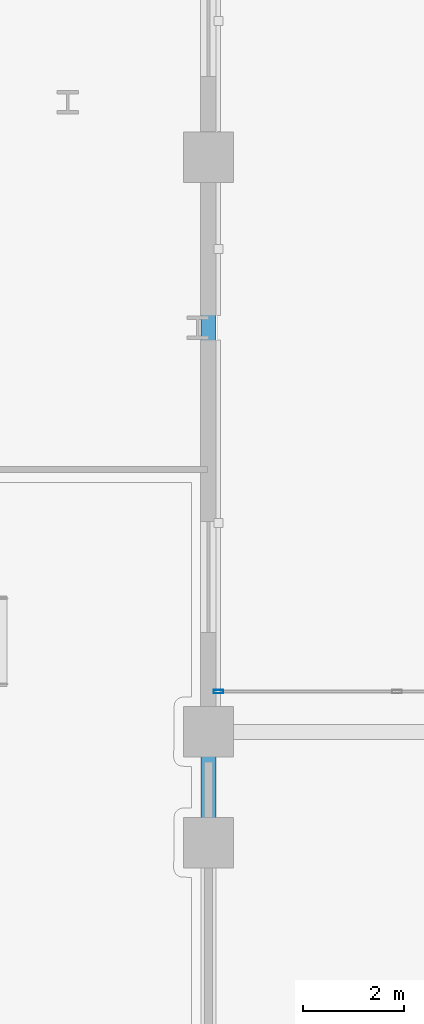
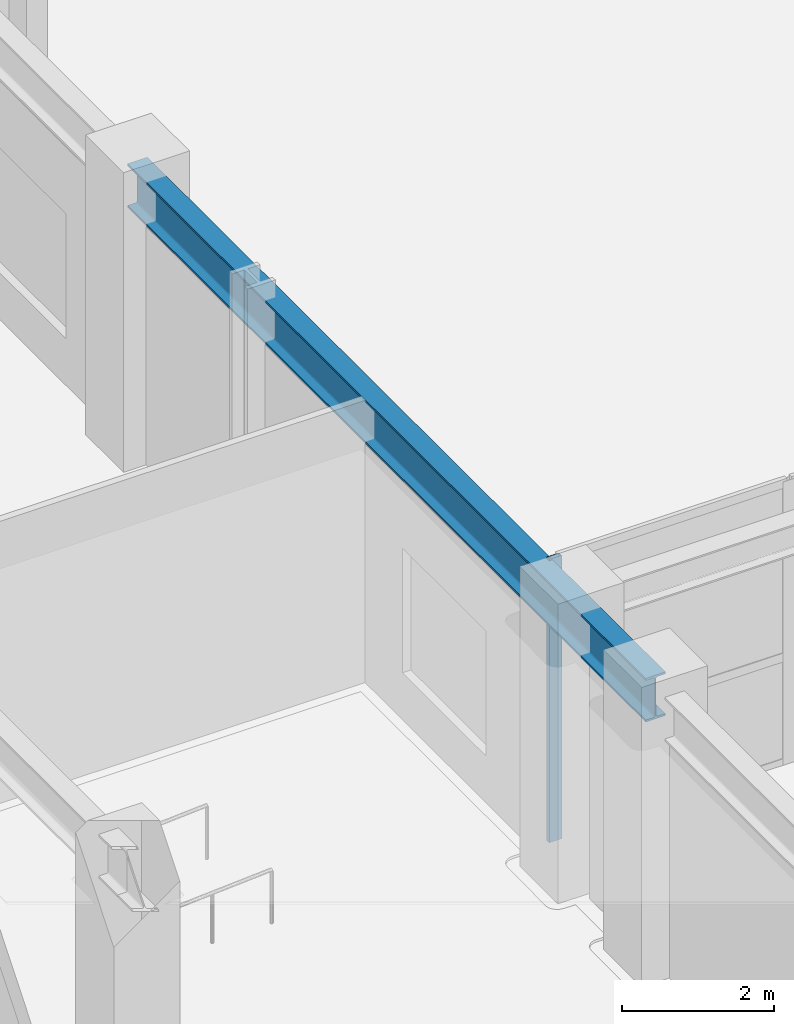
# One storey, part 9 of 40: 1 beam, 1 member, 1 element without a shape of its own.
"""IFC4 building model written with IfcOpenShell, lengths in metres."""

from ifc_helpers import new_model, si_unit, derived_unit, direction, frame, origin, origin_2d, place, context, subcontext, project, spatial, hollow_rectangle, i_section, extrude, source, transform, mapped, material, layer, layer_set, material_profile, profile_set, type_object, element, aggregate, save


model = new_model("IFC4")

# Units and contexts
model_context = context("Model", 3, precision=1e-05, world=origin(), true_north=direction((0.0, 1.0)))
body_context = subcontext(model_context, "Body", "Model", "MODEL_VIEW")
ifc_project = project(units=[si_unit("LENGTHUNIT", "METRE"), si_unit("AREAUNIT", "SQUARE_METRE"), si_unit("VOLUMEUNIT", "CUBIC_METRE"), si_unit("PLANEANGLEUNIT", "RADIAN"), si_unit("MASSUNIT", "GRAM", prefix="KILO"), derived_unit("THERMALTRANSMITTANCEUNIT", [(si_unit("POWERUNIT", "WATT"), 1), (si_unit("LENGTHUNIT", "METRE"), -2), (si_unit("THERMODYNAMICTEMPERATUREUNIT", "KELVIN"), -1)])], contexts=[model_context])

# Site, building, storey
site_placement = place(None, origin())
site = spatial("IfcSite", under=ifc_project, at=site_placement, CompositionType="ELEMENT")
building_placement = place(site_placement, origin())
building = spatial("IfcBuilding", under=site, at=building_placement, Name="Korsvarv Bourse and Concert Hall", CompositionType="ELEMENT")
storey_placement = place(building_placement, origin())
storey = spatial("IfcBuildingStorey", under=building, at=storey_placement, Name="L00", CompositionType="ELEMENT", Elevation=0.0)

# Beam
ifc_material_1 = material(Name="Steel S355", Category="steel")
ifc_material_profile_1 = material_profile(ifc_material_1, i_section(OverallWidth=0.300048828125, OverallDepth=0.699951171875, WebThickness=0.01708984375, FlangeThickness=0.031982421875, FilletRadius=0.027099609375, at=origin_2d()), Name="HEB 700")
ifc_profile_set_1 = profile_set([ifc_material_profile_1], Name="Steel S355")
beam_type = type_object("IfcBeamType", Name="BM-HEB700", PredefinedType="BEAM", material=ifc_profile_set_1)
shared_shape_1 = source(origin(), body_context, "Body", "SweptSolid", [
    extrude(i_section(OverallWidth=0.300048828125, OverallDepth=0.699951171875, WebThickness=0.01708984375, FlangeThickness=0.031982421875, FilletRadius=0.027099609375, at=origin_2d()), origin(), (0.0, 0.0, 1.0), 13.60009765625),
])
beam_placement = place(storey_placement, frame((66.0, 40.0, 4.169921875), z_axis=(0.0, 1.0, 0.0), x_axis=(-1.0, 0.0, 0.0)))
element("IfcBeam", 1, at=beam_placement, inside=storey, type_object=beam_type, Name="L00 beam B-03", PredefinedType="BEAM", context=body_context, shape_type="MappedRepresentation", body=[
    mapped(shared_shape_1, transform((0.0, 0.0, 0.0), scale=1.0)),
])

# Curtain wall, member
ifc_material_2 = material(Name="Anodised aluminium and triple low-E glazing", Category="glass")
ifc_layer = layer(ifc_material_2, 0.239990234375)
ifc_layer_set = layer_set([ifc_layer], Name="Anodised aluminium and triple low-E glazing")
curtain_wall_type = type_object("IfcCurtainWallType", Name="CW-SYS-5", PredefinedType="NOTDEFINED", material=ifc_layer_set)
curtain_wall_placement = place(storey_placement, origin())
curtain_wall = element("IfcCurtainWall", 2, at=curtain_wall_placement, inside=storey, type_object=curtain_wall_type, Name="L00 CW5 curtain wall CW-L00-LKN", PredefinedType="NOTDEFINED")
ifc_material_3 = material(Name="Extruded aluminium EN AW-6063 T66", Category="aluminium")
ifc_material_profile_2 = material_profile(ifc_material_3, hollow_rectangle(XDim=0.070068359375, YDim=0.18994140625, WallThickness=0.0048828125, at=origin_2d()), Name="ALU-M 70x190")
ifc_profile_set_2 = profile_set([ifc_material_profile_2], Name="Extruded aluminium EN AW-6063 T66")
member_type = type_object("IfcMemberType", Name="CWM-190", PredefinedType="MULLION", material=ifc_profile_set_2)
shared_shape_2 = source(origin(), body_context, "Body", "SweptSolid", [
    extrude(hollow_rectangle(XDim=0.070068359375, YDim=0.18994140625, WallThickness=0.0048828125, at=origin_2d()), origin(), (0.0, 0.0, 1.0), 4.5400390625),
])
member_placement = place(storey_placement, frame((66.195068359375, 43.0, 0.0), z_axis=(0.0, 0.0, 1.0), x_axis=(0.0, 1.0, 0.0)))
member = element("IfcMember", 3, at=member_placement, type_object=member_type, Name="CW5 mullion 1", PredefinedType="MULLION", context=body_context, shape_type="MappedRepresentation", body=[
    mapped(shared_shape_2, transform((0.0, 0.0, 0.0), scale=1.0)),
])
aggregate(curtain_wall, [member])

save(model, "model.ifc")
